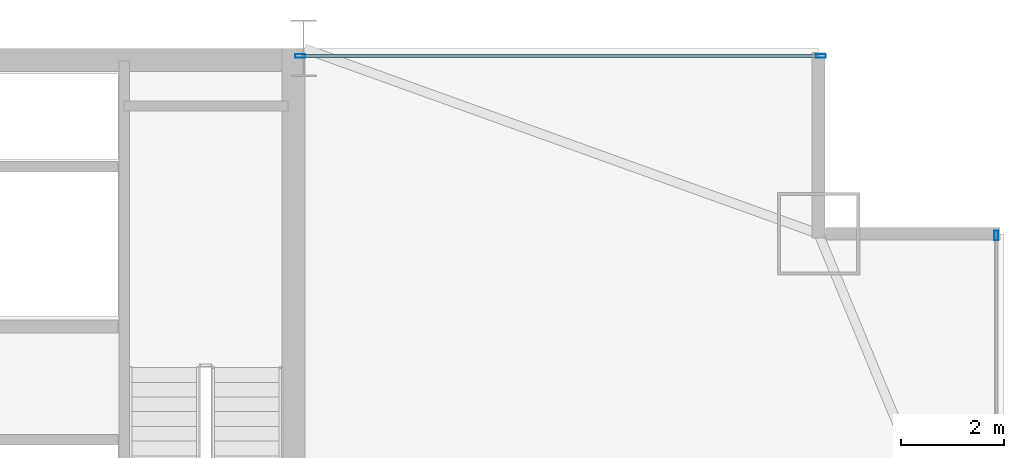
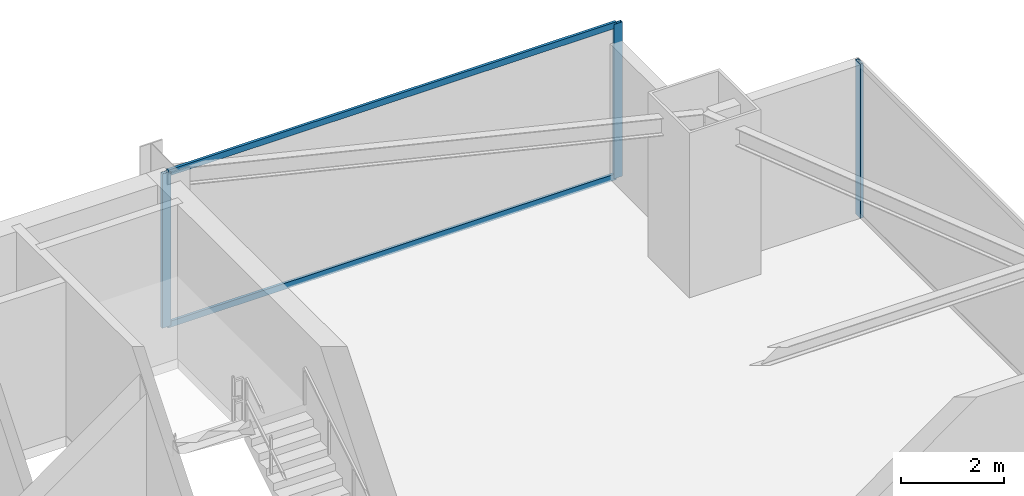
# One storey, part 24 of 35: 5 members, 2 elements without a shape of their own.
"""IFC4 building model written with IfcOpenShell, lengths in metres."""

from ifc_helpers import new_model, si_unit, direction, frame, origin, origin_2d, place, context, subcontext, project, spatial, hollow_rectangle, extrude, source, transform, mapped, material, layer, layer_set, material_profile, profile_set, type_object, type_shapes, element, aggregate, save


model = new_model("IFC4")

# Units and contexts
model_context = context("Model", 3, precision=1e-05, world=origin(), true_north=direction((0.0, 1.0)))
body_context = subcontext(model_context, "Body", "Model", "MODEL_VIEW")
ifc_project = project(units=[si_unit("LENGTHUNIT", "METRE"), si_unit("AREAUNIT", "SQUARE_METRE"), si_unit("VOLUMEUNIT", "CUBIC_METRE"), si_unit("PLANEANGLEUNIT", "RADIAN"), si_unit("MASSUNIT", "GRAM", prefix="KILO")], contexts=[model_context])

# Site, building, storey
site_placement = place(None, origin())
site = spatial("IfcSite", under=ifc_project, at=site_placement, CompositionType="ELEMENT")
building_placement = place(site_placement, origin())
building = spatial("IfcBuilding", under=site, at=building_placement, Name="Varnel Quay Broadcast Tower", CompositionType="ELEMENT")
storey_placement = place(building_placement, frame((0.0, 0.0, 31.5)))
storey = spatial("IfcBuildingStorey", under=building, at=storey_placement, Name="L06", CompositionType="ELEMENT", Elevation=31.5)

# Curtain wall, member
ifc_material = material(Name="Anodised Bronze Aluminium 6063-T6", Category="aluminium")
ifc_layer = layer(ifc_material, 0.18994140625, Name="Anodised Bronze Aluminium 6063-T6")
ifc_layer_set = layer_set([ifc_layer], Name="Anodised Bronze Aluminium 6063-T6")
curtain_wall_type = type_object("IfcCurtainWallType", Name="CW_LowerTower", PredefinedType="NOTDEFINED", material=ifc_layer_set)
curtain_wall_1_placement = place(storey_placement, origin())
curtain_wall_1 = element("IfcCurtainWall", 1, at=curtain_wall_1_placement, inside=storey, type_object=curtain_wall_type, Name="L06 East Unitised Curtain Wall", PredefinedType="NOTDEFINED")
ifc_material_profile_1 = material_profile(ifc_material, hollow_rectangle(XDim=0.070068359375, YDim=0.18994140625, WallThickness=0.00390625, at=origin_2d()), Name="ALU70X190X4")
ifc_profile_set_1 = profile_set([ifc_material_profile_1], Name="Anodised Bronze Aluminium 6063-T6")
member_type_1 = type_object("IfcMemberType", Name="Mull_CWS-02", PredefinedType="MULLION", material=ifc_profile_set_1)
shared_shape_1 = source(origin(), body_context, "Body", "SweptSolid", [
    extrude(hollow_rectangle(XDim=0.070068359375, YDim=0.18994140625, WallThickness=0.00390625, at=origin_2d()), origin(), (0.0, 0.0, 1.0), 3.64990234375),
])
type_shapes(member_type_1, [shared_shape_1])
member_1_placement = place(storey_placement, frame((65.85009765625, 43.1650390625, 0.0), z_axis=(0.0, 0.0, 1.0), x_axis=(-1.0, 0.0, 0.0)))
member_1 = element("IfcMember", 2, at=member_1_placement, type_object=member_type_1, Name="CWS-02 mullion 4", PredefinedType="MULLION", context=body_context, shape_type="MappedRepresentation", body=[
    mapped(shared_shape_1, transform((0.0, 0.0, 0.0), x_axis=(1.0, 0.0, 0.0), y_axis=(0.0, 1.0, 0.0), z_axis=(0.0, 0.0, 1.0), scale=1.0)),
])
aggregate(curtain_wall_1, [member_1])

# Curtain wall, members
curtain_wall_2_placement = place(storey_placement, origin())
curtain_wall_2 = element("IfcCurtainWall", 3, at=curtain_wall_2_placement, inside=storey, type_object=curtain_wall_type, Name="L06 NE Wing Curtain Wall", PredefinedType="NOTDEFINED")
member_2_placement = place(storey_placement, frame((52.3349609375, 46.64990234375, 0.0), z_axis=(0.0, 0.0, 1.0), x_axis=(0.0, 1.0, 0.0)))
member_2 = element("IfcMember", 4, at=member_2_placement, type_object=member_type_1, Name="CWS-02 mullion 1", PredefinedType="MULLION", context=body_context, shape_type="MappedRepresentation", body=[
    mapped(shared_shape_1, transform((0.0, 0.0, 0.0), x_axis=(1.0, 0.0, 0.0), y_axis=(0.0, 1.0, 0.0), z_axis=(0.0, 0.0, 1.0), scale=1.0)),
])
member_3_placement = place(storey_placement, frame((62.445068359375, 46.64990234375, 0.0), z_axis=(0.0, 0.0, 1.0), x_axis=(0.0, 1.0, 0.0)))
member_3 = element("IfcMember", 5, at=member_3_placement, type_object=member_type_1, Name="CWS-02 mullion 2", PredefinedType="MULLION", context=body_context, shape_type="MappedRepresentation", body=[
    mapped(shared_shape_1, transform((0.0, 0.0, 0.0), x_axis=(1.0, 0.0, 0.0), y_axis=(0.0, 1.0, 0.0), z_axis=(0.0, 0.0, 1.0), scale=1.0)),
])
ifc_material_profile_2 = material_profile(ifc_material, hollow_rectangle(XDim=0.06005859375, YDim=0.14501953125, WallThickness=0.00341796875, at=origin_2d()), Name="ALU60X145X3.5")
ifc_profile_set_2 = profile_set([ifc_material_profile_2], Name="Anodised Bronze Aluminium 6063-T6")
member_type_2 = type_object("IfcMemberType", Name="Tran_CWS-02", PredefinedType="USERDEFINED", material=ifc_profile_set_2)
shared_shape_2 = source(origin(), body_context, "Body", "SweptSolid", [
    extrude(hollow_rectangle(XDim=0.06005859375, YDim=0.14501953125, WallThickness=0.00341796875, at=origin_2d()), origin(), (0.0, 0.0, 1.0), 10.039794921875),
])
type_shapes(member_type_2, [shared_shape_2])
member_4_placement = place(storey_placement, frame((52.3701171875, 46.64990234375, 0.030029296875), z_axis=(1.0, 0.0, 0.0), x_axis=(0.0, 1.0, 0.0)))
member_4 = element("IfcMember", 6, at=member_4_placement, type_object=member_type_2, Name="CWS-02 transom 1.1", ObjectType="TRANSOM", PredefinedType="USERDEFINED", context=body_context, shape_type="MappedRepresentation", body=[
    mapped(shared_shape_2, transform((0.0, 0.0, 0.0), x_axis=(1.0, 0.0, 0.0), y_axis=(0.0, 1.0, 0.0), z_axis=(0.0, 0.0, 1.0), scale=1.0)),
])
member_5_placement = place(storey_placement, frame((52.3701171875, 46.64990234375, 3.6201171875), z_axis=(1.0, 0.0, 0.0), x_axis=(0.0, 1.0, 0.0)))
member_5 = element("IfcMember", 7, at=member_5_placement, type_object=member_type_2, Name="CWS-02 transom 1.2", ObjectType="TRANSOM", PredefinedType="USERDEFINED", context=body_context, shape_type="MappedRepresentation", body=[
    mapped(shared_shape_2, transform((0.0, 0.0, 0.0), x_axis=(1.0, 0.0, 0.0), y_axis=(0.0, 1.0, 0.0), z_axis=(0.0, 0.0, 1.0), scale=1.0)),
])
aggregate(curtain_wall_2, [member_2, member_3, member_4, member_5])

save(model, "model.ifc")
